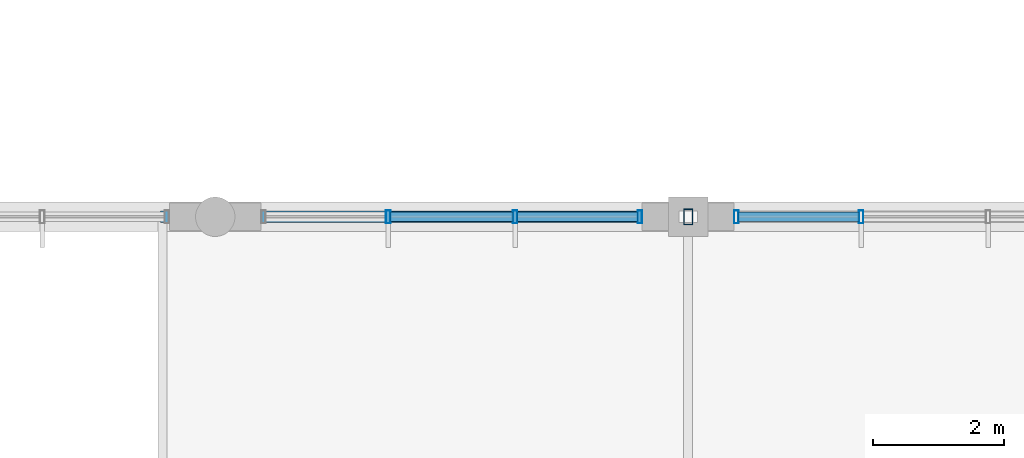
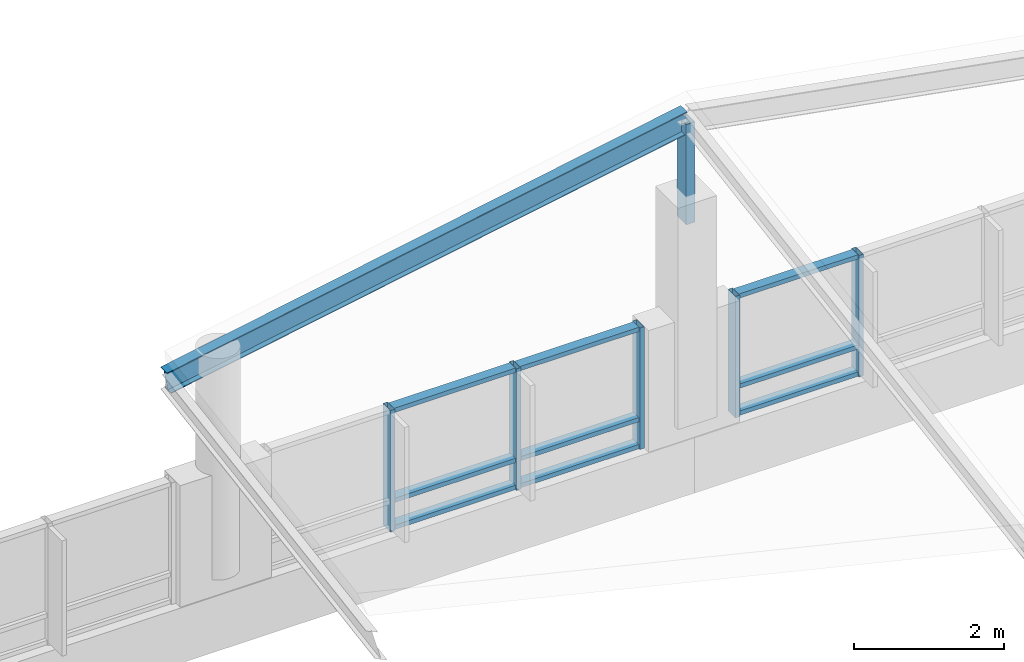
# One storey, part 50 of 189: 16 members, 2 elements without a shape of their own.
"""IFC4 building model written with IfcOpenShell, lengths in metres."""

from ifc_helpers import new_model, si_unit, direction, frame, origin, origin_2d, place, context, subcontext, project, spatial, hollow_rectangle, i_section, extrude, material, material_profile, profile_set, type_object, element, aggregate, save


model = new_model("IFC4")

# Units and contexts
model_context = context("Model", 3, precision=1e-05, world=origin(), true_north=direction((0.0, 1.0)))
body_context = subcontext(model_context, "Body", "Model", "MODEL_VIEW")
ifc_project = project(units=[si_unit("LENGTHUNIT", "METRE"), si_unit("AREAUNIT", "SQUARE_METRE"), si_unit("VOLUMEUNIT", "CUBIC_METRE"), si_unit("PLANEANGLEUNIT", "RADIAN"), si_unit("MASSUNIT", "GRAM", prefix="KILO")], contexts=[model_context])

# Site, building, storey
site_placement = place(None, origin())
site = spatial("IfcSite", under=ifc_project, at=site_placement, CompositionType="ELEMENT")
building_placement = place(site_placement, origin())
building = spatial("IfcBuilding", under=site, at=building_placement, Name="Zavelmont Quarter", CompositionType="ELEMENT")
storey_placement = place(building_placement, frame((0.0, 0.0, 4.39990234375)))
storey = spatial("IfcBuildingStorey", under=building, at=storey_placement, Name="L01", CompositionType="ELEMENT", Elevation=4.39990234375)

# Member
ifc_material_1 = material(Name="Steel S355", Category="steel")
ifc_material_profile_1 = material_profile(ifc_material_1, hollow_rectangle(XDim=0.139892578125, YDim=0.239990234375, WallThickness=0.010009765625, at=origin_2d()), Name="RHS 240X140X10")
ifc_profile_set_1 = profile_set([ifc_material_profile_1], Name="Steel S355")
member_type_1 = type_object("IfcMemberType", Name="CLM1", PredefinedType="CHORD", material=ifc_profile_set_1)
member_1_placement = place(storey_placement, frame((84.0, 30.0, 3.14013671875), z_axis=(0.0, 0.0, 1.0), x_axis=(1.0, 0.0, 0.0)))
element("IfcMember", 1, at=member_1_placement, inside=storey, type_object=member_type_1, Name="L01 member CLM1 13/F to 13/F", PredefinedType="CHORD", context=body_context, shape_type="SweptSolid", body=[
    extrude(hollow_rectangle(XDim=0.139892578125, YDim=0.239990234375, WallThickness=0.010009765625, at=origin_2d()), origin(), (0.0, 0.0, 1.0), 1.6298828125),
])

# Curtain wall, members
ifc_material_2 = material(Name="Thermally broken aluminium and double low-E safety glazing", Category="aluminium")
curtain_wall_type = type_object("IfcCurtainWallType", Name="CW-580X198", PredefinedType="NOTDEFINED", material=ifc_material_2)
curtain_wall_1_placement = place(storey_placement, origin())
curtain_wall_1 = element("IfcCurtainWall", 2, at=curtain_wall_1_placement, inside=storey, type_object=curtain_wall_type, Name="L01 unitised curtain wall CW-580X198", PredefinedType="NOTDEFINED")
ifc_material_3 = material(Name="Powder-coated aluminium EN AW-6063-T6", Category="aluminium")
ifc_material_profile_2 = material_profile(ifc_material_3, hollow_rectangle(XDim=0.070068359375, YDim=0.199951171875, WallThickness=0.0048828125, at=origin_2d()), Name="CWM70X200")
ifc_profile_set_2 = profile_set([ifc_material_profile_2], Name="Powder-coated aluminium EN AW-6063-T6")
member_type_2 = type_object("IfcMemberType", Name="CWM02", PredefinedType="MULLION", material=ifc_profile_set_2)
member_2_placement = place(storey_placement, frame((79.433349609375, 30.0, -0.27978515625), z_axis=(0.0, 0.0, 1.0), x_axis=(1.0, 0.0, 0.0)))
member_2 = element("IfcMember", 3, at=member_2_placement, type_object=member_type_2, Name="CW-580X198 mullion 2", PredefinedType="MULLION", context=body_context, shape_type="SweptSolid", body=[
    extrude(hollow_rectangle(XDim=0.070068359375, YDim=0.199951171875, WallThickness=0.0048828125, at=origin_2d()), origin(), (0.0, 0.0, 1.0), 1.974853515625),
])
member_3_placement = place(storey_placement, frame((81.36669921875, 30.0, -0.27978515625), z_axis=(0.0, 0.0, 1.0), x_axis=(1.0, 0.0, 0.0)))
member_3 = element("IfcMember", 4, at=member_3_placement, type_object=member_type_2, Name="CW-580X198 mullion 3", PredefinedType="MULLION", context=body_context, shape_type="SweptSolid", body=[
    extrude(hollow_rectangle(XDim=0.070068359375, YDim=0.199951171875, WallThickness=0.0048828125, at=origin_2d()), origin(), (0.0, 0.0, 1.0), 1.974853515625),
])
member_4_placement = place(storey_placement, frame((83.264892578125, 30.0, -0.27978515625), z_axis=(0.0, 0.0, 1.0), x_axis=(1.0, 0.0, 0.0)))
member_4 = element("IfcMember", 5, at=member_4_placement, type_object=member_type_2, Name="CW-580X198 mullion 4", PredefinedType="MULLION", context=body_context, shape_type="SweptSolid", body=[
    extrude(hollow_rectangle(XDim=0.070068359375, YDim=0.199951171875, WallThickness=0.0048828125, at=origin_2d()), origin(), (0.0, 0.0, 1.0), 1.974853515625),
])

curtain_wall_2_placement = place(storey_placement, origin())
curtain_wall_2 = element("IfcCurtainWall", 6, at=curtain_wall_2_placement, inside=storey, type_object=curtain_wall_type, Name="L01 unitised curtain wall CW-580X198", PredefinedType="NOTDEFINED")
member_5_placement = place(storey_placement, frame((84.735107421875, 30.0, -0.27978515625), z_axis=(0.0, 0.0, 1.0), x_axis=(1.0, 0.0, 0.0)))
member_5 = element("IfcMember", 7, at=member_5_placement, type_object=member_type_2, Name="CW-580X198 mullion 1", PredefinedType="MULLION", context=body_context, shape_type="SweptSolid", body=[
    extrude(hollow_rectangle(XDim=0.070068359375, YDim=0.199951171875, WallThickness=0.0048828125, at=origin_2d()), origin(), (0.0, 0.0, 1.0), 1.974853515625),
])
member_6_placement = place(storey_placement, frame((86.63330078125, 30.0, -0.27978515625), z_axis=(0.0, 0.0, 1.0), x_axis=(1.0, 0.0, 0.0)))
member_6 = element("IfcMember", 8, at=member_6_placement, type_object=member_type_2, Name="CW-580X198 mullion 2", PredefinedType="MULLION", context=body_context, shape_type="SweptSolid", body=[
    extrude(hollow_rectangle(XDim=0.070068359375, YDim=0.199951171875, WallThickness=0.0048828125, at=origin_2d()), origin(), (0.0, 0.0, 1.0), 1.974853515625),
])

# Member
ifc_material_profile_3 = material_profile(ifc_material_3, hollow_rectangle(XDim=0.14990234375, YDim=0.070068359375, WallThickness=0.00439453125, at=origin_2d()), Name="CWT70X150")
ifc_profile_set_3 = profile_set([ifc_material_profile_3], Name="Powder-coated aluminium EN AW-6063-T6")
member_type_3 = type_object("IfcMemberType", Name="CWT02", PredefinedType="NOTDEFINED", material=ifc_profile_set_3)
member_7_placement = place(storey_placement, frame((79.46826171875, 30.0, -0.244873046875), z_axis=(1.0, 0.0, 0.0), x_axis=(0.0, 1.0, 0.0)))
member_7 = element("IfcMember", 9, at=member_7_placement, type_object=member_type_3, Name="CW-580X198 transom 2.1", ObjectType="TRANSOM", PredefinedType="USERDEFINED", context=body_context, shape_type="SweptSolid", body=[
    extrude(hollow_rectangle(XDim=0.14990234375, YDim=0.070068359375, WallThickness=0.00439453125, at=origin_2d()), origin(), (0.0, 0.0, 1.0), 1.863525390625),
])

member_8_placement = place(storey_placement, frame((79.46826171875, 30.0, 0.194091796875), z_axis=(1.0, 0.0, 0.0), x_axis=(0.0, 1.0, 0.0)))
member_8 = element("IfcMember", 10, at=member_8_placement, type_object=member_type_3, Name="CW-580X198 transom 2.2", ObjectType="TRANSOM", PredefinedType="USERDEFINED", context=body_context, shape_type="SweptSolid", body=[
    extrude(hollow_rectangle(XDim=0.14990234375, YDim=0.070068359375, WallThickness=0.00439453125, at=origin_2d()), origin(), (0.0, 0.0, 1.0), 1.863525390625),
])

member_9_placement = place(storey_placement, frame((79.46826171875, 30.0, 1.66015625), z_axis=(1.0, 0.0, 0.0), x_axis=(0.0, 1.0, 0.0)))
member_9 = element("IfcMember", 11, at=member_9_placement, type_object=member_type_3, Name="CW-580X198 transom 2.3", ObjectType="TRANSOM", PredefinedType="USERDEFINED", context=body_context, shape_type="SweptSolid", body=[
    extrude(hollow_rectangle(XDim=0.14990234375, YDim=0.070068359375, WallThickness=0.00439453125, at=origin_2d()), origin(), (0.0, 0.0, 1.0), 1.863525390625),
])

member_10_placement = place(storey_placement, frame((81.401611328125, 30.0, -0.244873046875), z_axis=(1.0, 0.0, 0.0), x_axis=(0.0, 1.0, 0.0)))
member_10 = element("IfcMember", 12, at=member_10_placement, type_object=member_type_3, Name="CW-580X198 transom 3.1", ObjectType="TRANSOM", PredefinedType="USERDEFINED", context=body_context, shape_type="SweptSolid", body=[
    extrude(hollow_rectangle(XDim=0.14990234375, YDim=0.070068359375, WallThickness=0.00439453125, at=origin_2d()), origin(), (0.0, 0.0, 1.0), 1.828369140625),
])

member_11_placement = place(storey_placement, frame((81.401611328125, 30.0, 0.194091796875), z_axis=(1.0, 0.0, 0.0), x_axis=(0.0, 1.0, 0.0)))
member_11 = element("IfcMember", 13, at=member_11_placement, type_object=member_type_3, Name="CW-580X198 transom 3.2", ObjectType="TRANSOM", PredefinedType="USERDEFINED", context=body_context, shape_type="SweptSolid", body=[
    extrude(hollow_rectangle(XDim=0.14990234375, YDim=0.070068359375, WallThickness=0.00439453125, at=origin_2d()), origin(), (0.0, 0.0, 1.0), 1.828369140625),
])

member_12_placement = place(storey_placement, frame((81.401611328125, 30.0, 1.66015625), z_axis=(1.0, 0.0, 0.0), x_axis=(0.0, 1.0, 0.0)))
member_12 = element("IfcMember", 14, at=member_12_placement, type_object=member_type_3, Name="CW-580X198 transom 3.3", ObjectType="TRANSOM", PredefinedType="USERDEFINED", context=body_context, shape_type="SweptSolid", body=[
    extrude(hollow_rectangle(XDim=0.14990234375, YDim=0.070068359375, WallThickness=0.00439453125, at=origin_2d()), origin(), (0.0, 0.0, 1.0), 1.828369140625),
])

aggregate(curtain_wall_1, [member_2, member_3, member_4, member_7, member_8, member_9, member_10, member_11, member_12])

member_13_placement = place(storey_placement, frame((84.77001953125, 30.0, -0.244873046875), z_axis=(1.0, 0.0, 0.0), x_axis=(0.0, 1.0, 0.0)))
member_13 = element("IfcMember", 15, at=member_13_placement, type_object=member_type_3, Name="CW-580X198 transom 1.1", ObjectType="TRANSOM", PredefinedType="USERDEFINED", context=body_context, shape_type="SweptSolid", body=[
    extrude(hollow_rectangle(XDim=0.14990234375, YDim=0.070068359375, WallThickness=0.00439453125, at=origin_2d()), origin(), (0.0, 0.0, 1.0), 1.828369140625),
])

member_14_placement = place(storey_placement, frame((84.77001953125, 30.0, 0.194091796875), z_axis=(1.0, 0.0, 0.0), x_axis=(0.0, 1.0, 0.0)))
member_14 = element("IfcMember", 16, at=member_14_placement, type_object=member_type_3, Name="CW-580X198 transom 1.2", ObjectType="TRANSOM", PredefinedType="USERDEFINED", context=body_context, shape_type="SweptSolid", body=[
    extrude(hollow_rectangle(XDim=0.14990234375, YDim=0.070068359375, WallThickness=0.00439453125, at=origin_2d()), origin(), (0.0, 0.0, 1.0), 1.828369140625),
])

member_15_placement = place(storey_placement, frame((84.77001953125, 30.0, 1.66015625), z_axis=(1.0, 0.0, 0.0), x_axis=(0.0, 1.0, 0.0)))
member_15 = element("IfcMember", 17, at=member_15_placement, type_object=member_type_3, Name="CW-580X198 transom 1.3", ObjectType="TRANSOM", PredefinedType="USERDEFINED", context=body_context, shape_type="SweptSolid", body=[
    extrude(hollow_rectangle(XDim=0.14990234375, YDim=0.070068359375, WallThickness=0.00439453125, at=origin_2d()), origin(), (0.0, 0.0, 1.0), 1.828369140625),
])

aggregate(curtain_wall_2, [member_5, member_6, member_13, member_14, member_15])

ifc_material_profile_4 = material_profile(ifc_material_1, i_section(OverallWidth=0.169921875, OverallDepth=0.360107421875, WebThickness=0.008056640625, FlangeThickness=0.0126953125, at=origin_2d()), Name="IPE 360")
ifc_profile_set_4 = profile_set([ifc_material_profile_4], Name="Steel S355")
member_type_4 = type_object("IfcMemberType", Name="RFM2", PredefinedType="RAFTER", material=ifc_profile_set_4)
member_16_placement = place(storey_placement, frame((76.0, 30.0, 3.320068359375), z_axis=(0.983969211964, 0.0, 0.178338413997), x_axis=(0.0, 1.0, 0.0)))
element("IfcMember", 18, at=member_16_placement, inside=storey, type_object=member_type_4, Name="L01 member RFM2 12/F to 13/F", PredefinedType="RAFTER", context=body_context, shape_type="SweptSolid", body=[
    extrude(i_section(OverallWidth=0.169921875, OverallDepth=0.360107421875, WebThickness=0.008056640625, FlangeThickness=0.0126953125, at=origin_2d()), origin(), (0.0, 0.0, 1.0), 8.13037109375),
])

save(model, "model.ifc")
